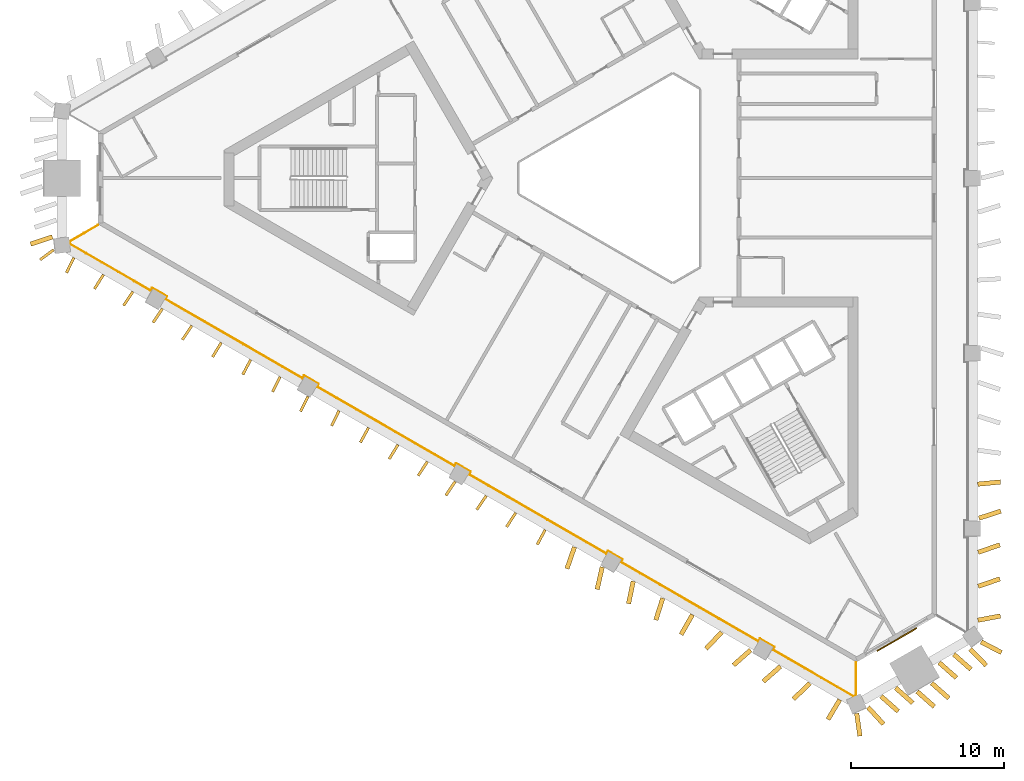
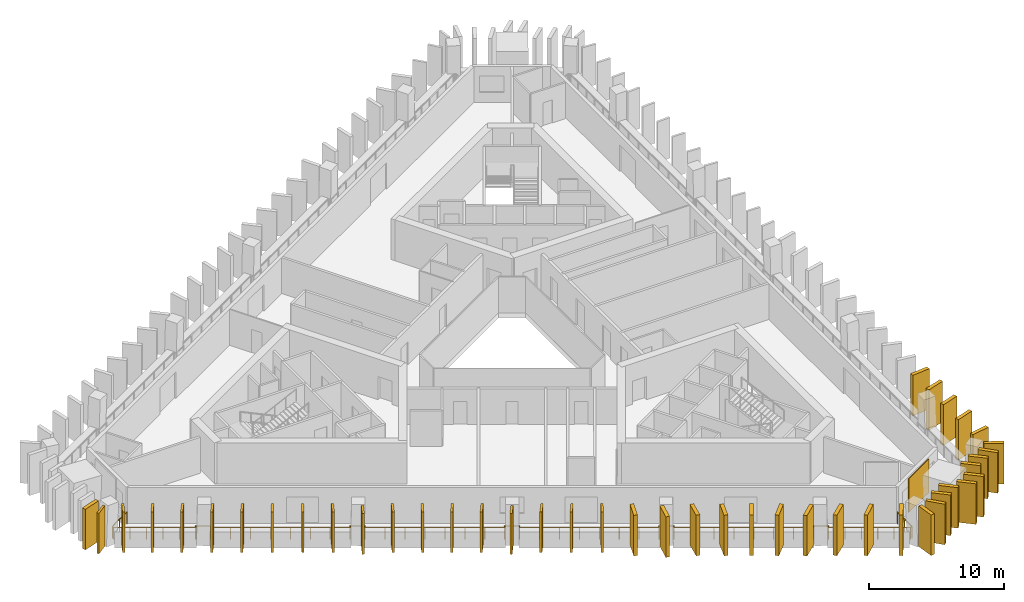
# One storey, part 7 of 10: 44 shading devices, 1 covering, 1 railing.
"""IFC4 building model written with IfcOpenShell, lengths in metres."""

from ifc_helpers import new_model, si_unit, direction, frame, frame_2d, origin, origin_2d, place, context, subcontext, project, spatial, rectangle, circle, extrude, material, layer, layer_set, type_object, element, save


model = new_model("IFC4")

# Units and contexts
model_context = context("Model", 3, precision=1e-05, world=origin(), true_north=direction((0.0, 1.0)))
body_context = subcontext(model_context, "Body", "Model", "MODEL_VIEW")
ifc_project = project(units=[si_unit("LENGTHUNIT", "METRE"), si_unit("AREAUNIT", "SQUARE_METRE"), si_unit("VOLUMEUNIT", "CUBIC_METRE"), si_unit("PLANEANGLEUNIT", "RADIAN"), si_unit("MASSUNIT", "GRAM", prefix="KILO")], contexts=[model_context])

# Site, building, storey
site_placement = place(None, origin())
site = spatial("IfcSite", under=ifc_project, at=site_placement, CompositionType="ELEMENT")
building_placement = place(site_placement, origin())
building = spatial("IfcBuilding", under=site, at=building_placement, Name="Jabali Bay Hotel Tower and Convention Centre", CompositionType="ELEMENT")
storey_placement = place(building_placement, frame((0.0, 0.0, 110.5)))
storey = spatial("IfcBuildingStorey", under=building, at=storey_placement, Name="L26", CompositionType="ELEMENT", Elevation=110.5)

# Railing
ifc_material_1 = material(Name="Glass", Category="glass")
railing_type = type_object("IfcRailingType", Name="Loggia glass guard 1100", PredefinedType="BALUSTRADE", material=ifc_material_1)
railing_placement = place(storey_placement, frame((89.76025390625, 48.2978515625, 0.0)))
element("IfcRailing", 1, at=railing_placement, inside=storey, type_object=railing_type, Name="Loggia glass guard L26", PredefinedType="BALUSTRADE", context=body_context, shape_type="SweptSolid", body=[
    extrude(circle(Radius=0.02490234375, at=origin_2d()), frame((0.0, 0.0, 1.0751953125), z_axis=(0.0, -1.0, 0.0), x_axis=(0.991444861374, 0.0, 0.13052619222)), (0.0, 0.0, 1.0), 2.165283203125),
    extrude(circle(Radius=0.02490234375, at=origin_2d()), frame((0.0, -2.165283203125, 1.0751953125), z_axis=(-0.918657809016, -0.395054211386, 0.0), x_axis=(0.391674467843, -0.91079856411, 0.13052619222)), (0.0, 0.0, 1.0), 0.15576171875),
    extrude(circle(Radius=0.02490234375, at=origin_2d()), frame((-0.14306640625, -2.226806640625, 1.0751953125), z_axis=(-0.866026564418, 0.499997989718, 0.0), x_axis=(-0.495720437603, -0.858617587106, 0.13052619222)), (0.0, 0.0, 1.0), 6.1103515625),
    extrude(circle(Radius=0.02490234375, at=origin_2d()), frame((-5.434814453125, 0.828369140625, 1.0751953125), z_axis=(0.500603037456, 0.865676959893, 0.0), x_axis=(-0.858270973496, 0.496320309074, 0.13052619222)), (0.0, 0.0, 1.0), 0.199951171875),
    extrude(circle(Radius=0.02490234375, at=origin_2d()), frame((-5.334716796875, 1.00146484375, 1.0751953125), z_axis=(-0.866008176907, 0.50002983664, 0.0), x_axis=(-0.495752012071, -0.858599356902, 0.13052619222)), (0.0, 0.0, 1.0), 1.10009765625),
    extrude(circle(Radius=0.02490234375, at=origin_2d()), frame((-6.287353515625, 1.551513671875, 1.0751953125), z_axis=(-0.500074377092, -0.865982457891, 0.0), x_axis=(0.858573857916, -0.495796171473, 0.13052619222)), (0.0, 0.0, 1.0), 0.2001953125),
    extrude(circle(Radius=0.02490234375, at=origin_2d()), frame((-6.387451171875, 1.378173828125, 1.0751953125), z_axis=(-0.866014443052, 0.500018984065, 0.0), x_axis=(-0.49574125234, -0.85860556944, 0.13052619222)), (0.0, 0.0, 1.0), 10.38134765625),
    extrude(circle(Radius=0.02490234375, at=origin_2d()), frame((-15.3779296875, 6.569091796875, 1.0751953125), z_axis=(0.499687197852, 0.866205924883, 0.0), x_axis=(-0.858795413117, 0.495412304605, 0.13052619222)), (0.0, 0.0, 1.0), 0.199951171875),
    extrude(circle(Radius=0.02490234375, at=origin_2d()), frame((-15.278076171875, 6.7421875, 1.0751953125), z_axis=(-0.866008176907, 0.50002983664, 0.0), x_axis=(-0.495752012071, -0.858599356902, 0.13052619222)), (0.0, 0.0, 1.0), 1.10009765625),
    extrude(circle(Radius=0.02490234375, at=origin_2d()), frame((-16.230712890625, 7.292236328125, 1.0751953125), z_axis=(-0.499687197852, -0.866205924883, 0.0), x_axis=(0.858795413117, -0.495412304605, 0.13052619222)), (0.0, 0.0, 1.0), 0.199951171875),
    extrude(circle(Radius=0.02490234375, at=origin_2d()), frame((-16.33056640625, 7.119140625, 1.0751953125), z_axis=(-0.866030505598, 0.499991163296, 0.0), x_axis=(-0.495713669582, -0.858621494568, 0.13052619222)), (0.0, 0.0, 1.0), 10.381591796875),
    extrude(circle(Radius=0.02490234375, at=origin_2d()), frame((-25.3212890625, 12.309814453125, 1.0751953125), z_axis=(0.499687197852, 0.866205924883, 0.0), x_axis=(-0.858795413117, 0.495412304605, 0.13052619222)), (0.0, 0.0, 1.0), 0.199951171875),
    extrude(circle(Radius=0.02490234375, at=origin_2d()), frame((-25.221435546875, 12.48291015625, 1.0751953125), z_axis=(-0.866008176907, 0.50002983664, 0.0), x_axis=(-0.495752012071, -0.858599356902, 0.13052619222)), (0.0, 0.0, 1.0), 1.10009765625),
    extrude(circle(Radius=0.02490234375, at=origin_2d()), frame((-26.174072265625, 13.032958984375, 1.0751953125), z_axis=(-0.499687197852, -0.866205924883, 0.0), x_axis=(0.858795413117, -0.495412304605, 0.13052619222)), (0.0, 0.0, 1.0), 0.199951171875),
    extrude(circle(Radius=0.02490234375, at=origin_2d()), frame((-26.27392578125, 12.85986328125, 1.0751953125), z_axis=(-0.866030505598, 0.499991163296, 0.0), x_axis=(-0.495713669582, -0.858621494568, 0.13052619222)), (0.0, 0.0, 1.0), 10.381591796875),
    extrude(circle(Radius=0.02490234375, at=origin_2d()), frame((-35.2646484375, 18.050537109375, 1.0751953125), z_axis=(0.500074377092, 0.865982457891, 0.0), x_axis=(-0.858573857916, 0.495796171473, 0.13052619222)), (0.0, 0.0, 1.0), 0.2001953125),
    extrude(circle(Radius=0.02490234375, at=origin_2d()), frame((-35.16455078125, 18.223876953125, 1.0751953125), z_axis=(-0.866104278045, 0.499863360881, 0.0), x_axis=(-0.495586960535, -0.858694635882, 0.13052619222)), (0.0, 0.0, 1.0), 1.099853515625),
    extrude(circle(Radius=0.02490234375, at=origin_2d()), frame((-36.1171875, 18.773681640625, 1.0751953125), z_axis=(-0.500603037456, -0.865676959893, 0.0), x_axis=(0.858270973496, -0.496320309074, 0.13052619222)), (0.0, 0.0, 1.0), 0.199951171875),
    extrude(circle(Radius=0.02490234375, at=origin_2d()), frame((-36.21728515625, 18.6005859375, 1.0751953125), z_axis=(-0.866030505598, 0.499991163296, 0.0), x_axis=(-0.495713669582, -0.858621494568, 0.13052619222)), (0.0, 0.0, 1.0), 10.381591796875),
    extrude(circle(Radius=0.02490234375, at=origin_2d()), frame((-45.2080078125, 23.791259765625, 1.0751953125), z_axis=(0.500074377092, 0.865982457891, 0.0), x_axis=(-0.858573857916, 0.495796171473, 0.13052619222)), (0.0, 0.0, 1.0), 0.2001953125),
    extrude(circle(Radius=0.02490234375, at=origin_2d()), frame((-45.10791015625, 23.964599609375, 1.0751953125), z_axis=(-0.866008176907, 0.50002983664, 0.0), x_axis=(-0.495752012071, -0.858599356902, 0.13052619222)), (0.0, 0.0, 1.0), 1.10009765625),
    extrude(circle(Radius=0.02490234375, at=origin_2d()), frame((-46.060546875, 24.5146484375, 1.0751953125), z_axis=(-0.500074377092, -0.865982457891, 0.0), x_axis=(0.858573857916, -0.495796171473, 0.13052619222)), (0.0, 0.0, 1.0), 0.2001953125),
    extrude(circle(Radius=0.02490234375, at=origin_2d()), frame((-46.16064453125, 24.34130859375, 1.0751953125), z_axis=(-0.866016575208, 0.500015291231, 0.0), x_axis=(-0.4957375911, -0.858607683354, 0.13052619222)), (0.0, 0.0, 1.0), 6.110107421875),
    extrude(circle(Radius=0.02490234375, at=origin_2d()), frame((-51.4521484375, 27.396484375, 1.0751953125), z_axis=(-0.117477392411, 0.993075557182, 0.0), x_axis=(-0.984579658124, -0.116472357034, 0.13052619222)), (0.0, 0.0, 1.0), 0.15576171875),
    extrude(circle(Radius=0.02490234375, at=origin_2d()), frame((-51.470458984375, 27.55126953125, 1.0751953125), z_axis=(0.866027848477, 0.499995765644, 0.0), x_axis=(-0.495718232557, 0.858618860179, 0.13052619222)), (0.0, 0.0, 1.0), 2.1650390625),
    extrude(circle(Radius=0.02001953125, at=origin_2d()), origin(), (0.0, 0.0, 1.0), 1.050048828125),
    extrude(circle(Radius=0.02001953125, at=origin_2d()), frame((0.0, -1.08251953125, 0.0)), (0.0, 0.0, 1.0), 1.050048828125),
    extrude(circle(Radius=0.02001953125, at=origin_2d()), frame((0.0, -2.165283203125, 0.0)), (0.0, 0.0, 1.0), 1.050048828125),
    extrude(circle(Radius=0.02001953125, at=origin_2d()), frame((-0.14306640625, -2.226806640625, 0.0)), (0.0, 0.0, 1.0), 1.050048828125),
    extrude(circle(Radius=0.02001953125, at=origin_2d()), frame((-1.201416015625, -1.61572265625, 0.0)), (0.0, 0.0, 1.0), 1.050048828125),
    extrude(circle(Radius=0.02001953125, at=origin_2d()), frame((-2.259765625, -1.004638671875, 0.0)), (0.0, 0.0, 1.0), 1.050048828125),
    extrude(circle(Radius=0.02001953125, at=origin_2d()), frame((-3.318115234375, -0.393798828125, 0.0)), (0.0, 0.0, 1.0), 1.050048828125),
    extrude(circle(Radius=0.02001953125, at=origin_2d()), frame((-4.37646484375, 0.21728515625, 0.0)), (0.0, 0.0, 1.0), 1.050048828125),
    extrude(circle(Radius=0.02001953125, at=origin_2d()), frame((-5.434814453125, 0.828369140625, 0.0)), (0.0, 0.0, 1.0), 1.050048828125),
    extrude(circle(Radius=0.02001953125, at=origin_2d()), frame((-5.334716796875, 1.00146484375, 0.0)), (0.0, 0.0, 1.0), 1.050048828125),
    extrude(circle(Radius=0.02001953125, at=origin_2d()), frame((-6.287353515625, 1.551513671875, 0.0)), (0.0, 0.0, 1.0), 1.050048828125),
    extrude(circle(Radius=0.02001953125, at=origin_2d()), frame((-6.387451171875, 1.378173828125, 0.0)), (0.0, 0.0, 1.0), 1.050048828125),
    extrude(circle(Radius=0.02001953125, at=origin_2d()), frame((-7.671875, 2.11962890625, 0.0)), (0.0, 0.0, 1.0), 1.050048828125),
    extrude(circle(Radius=0.02001953125, at=origin_2d()), frame((-8.9560546875, 2.861328125, 0.0)), (0.0, 0.0, 1.0), 1.050048828125),
    extrude(circle(Radius=0.02001953125, at=origin_2d()), frame((-10.240478515625, 3.602783203125, 0.0)), (0.0, 0.0, 1.0), 1.050048828125),
    extrude(circle(Radius=0.02001953125, at=origin_2d()), frame((-11.52490234375, 4.344482421875, 0.0)), (0.0, 0.0, 1.0), 1.050048828125),
    extrude(circle(Radius=0.02001953125, at=origin_2d()), frame((-12.809326171875, 5.0859375, 0.0)), (0.0, 0.0, 1.0), 1.050048828125),
    extrude(circle(Radius=0.02001953125, at=origin_2d()), frame((-14.093505859375, 5.82763671875, 0.0)), (0.0, 0.0, 1.0), 1.050048828125),
    extrude(circle(Radius=0.02001953125, at=origin_2d()), frame((-15.3779296875, 6.569091796875, 0.0)), (0.0, 0.0, 1.0), 1.050048828125),
    extrude(circle(Radius=0.02001953125, at=origin_2d()), frame((-15.278076171875, 6.7421875, 0.0)), (0.0, 0.0, 1.0), 1.050048828125),
    extrude(circle(Radius=0.02001953125, at=origin_2d()), frame((-16.230712890625, 7.292236328125, 0.0)), (0.0, 0.0, 1.0), 1.050048828125),
    extrude(circle(Radius=0.02001953125, at=origin_2d()), frame((-16.33056640625, 7.119140625, 0.0)), (0.0, 0.0, 1.0), 1.050048828125),
    extrude(circle(Radius=0.02001953125, at=origin_2d()), frame((-17.614990234375, 7.860595703125, 0.0)), (0.0, 0.0, 1.0), 1.050048828125),
    extrude(circle(Radius=0.02001953125, at=origin_2d()), frame((-18.8994140625, 8.602294921875, 0.0)), (0.0, 0.0, 1.0), 1.050048828125),
    extrude(circle(Radius=0.02001953125, at=origin_2d()), frame((-20.183837890625, 9.34375, 0.0)), (0.0, 0.0, 1.0), 1.050048828125),
    extrude(circle(Radius=0.02001953125, at=origin_2d()), frame((-21.468017578125, 10.085205078125, 0.0)), (0.0, 0.0, 1.0), 1.050048828125),
    extrude(circle(Radius=0.02001953125, at=origin_2d()), frame((-22.75244140625, 10.82666015625, 0.0)), (0.0, 0.0, 1.0), 1.050048828125),
    extrude(circle(Radius=0.02001953125, at=origin_2d()), frame((-24.036865234375, 11.568359375, 0.0)), (0.0, 0.0, 1.0), 1.050048828125),
    extrude(circle(Radius=0.02001953125, at=origin_2d()), frame((-25.3212890625, 12.309814453125, 0.0)), (0.0, 0.0, 1.0), 1.050048828125),
    extrude(circle(Radius=0.02001953125, at=origin_2d()), frame((-25.221435546875, 12.48291015625, 0.0)), (0.0, 0.0, 1.0), 1.050048828125),
    extrude(circle(Radius=0.02001953125, at=origin_2d()), frame((-26.174072265625, 13.032958984375, 0.0)), (0.0, 0.0, 1.0), 1.050048828125),
    extrude(circle(Radius=0.02001953125, at=origin_2d()), frame((-26.27392578125, 12.85986328125, 0.0)), (0.0, 0.0, 1.0), 1.050048828125),
    extrude(circle(Radius=0.02001953125, at=origin_2d()), frame((-27.558349609375, 13.601318359375, 0.0)), (0.0, 0.0, 1.0), 1.050048828125),
    extrude(circle(Radius=0.02001953125, at=origin_2d()), frame((-28.8427734375, 14.343017578125, 0.0)), (0.0, 0.0, 1.0), 1.050048828125),
    extrude(circle(Radius=0.02001953125, at=origin_2d()), frame((-30.127197265625, 15.08447265625, 0.0)), (0.0, 0.0, 1.0), 1.050048828125),
    extrude(circle(Radius=0.02001953125, at=origin_2d()), frame((-31.411376953125, 15.825927734375, 0.0)), (0.0, 0.0, 1.0), 1.050048828125),
    extrude(circle(Radius=0.02001953125, at=origin_2d()), frame((-32.69580078125, 16.5673828125, 0.0)), (0.0, 0.0, 1.0), 1.050048828125),
    extrude(circle(Radius=0.02001953125, at=origin_2d()), frame((-33.980224609375, 17.30908203125, 0.0)), (0.0, 0.0, 1.0), 1.050048828125),
    extrude(circle(Radius=0.02001953125, at=origin_2d()), frame((-35.2646484375, 18.050537109375, 0.0)), (0.0, 0.0, 1.0), 1.050048828125),
    extrude(circle(Radius=0.02001953125, at=origin_2d()), frame((-35.16455078125, 18.223876953125, 0.0)), (0.0, 0.0, 1.0), 1.050048828125),
    extrude(circle(Radius=0.02001953125, at=origin_2d()), frame((-36.1171875, 18.773681640625, 0.0)), (0.0, 0.0, 1.0), 1.050048828125),
    extrude(circle(Radius=0.02001953125, at=origin_2d()), frame((-36.21728515625, 18.6005859375, 0.0)), (0.0, 0.0, 1.0), 1.050048828125),
    extrude(circle(Radius=0.02001953125, at=origin_2d()), frame((-37.501708984375, 19.342041015625, 0.0)), (0.0, 0.0, 1.0), 1.050048828125),
    extrude(circle(Radius=0.02001953125, at=origin_2d()), frame((-38.7861328125, 20.083740234375, 0.0)), (0.0, 0.0, 1.0), 1.050048828125),
    extrude(circle(Radius=0.02001953125, at=origin_2d()), frame((-40.070556640625, 20.8251953125, 0.0)), (0.0, 0.0, 1.0), 1.050048828125),
    extrude(circle(Radius=0.02001953125, at=origin_2d()), frame((-41.354736328125, 21.566650390625, 0.0)), (0.0, 0.0, 1.0), 1.050048828125),
    extrude(circle(Radius=0.02001953125, at=origin_2d()), frame((-42.63916015625, 22.30810546875, 0.0)), (0.0, 0.0, 1.0), 1.050048828125),
    extrude(circle(Radius=0.02001953125, at=origin_2d()), frame((-43.923583984375, 23.0498046875, 0.0)), (0.0, 0.0, 1.0), 1.050048828125),
    extrude(circle(Radius=0.02001953125, at=origin_2d()), frame((-45.2080078125, 23.791259765625, 0.0)), (0.0, 0.0, 1.0), 1.050048828125),
    extrude(circle(Radius=0.02001953125, at=origin_2d()), frame((-45.10791015625, 23.964599609375, 0.0)), (0.0, 0.0, 1.0), 1.050048828125),
    extrude(circle(Radius=0.02001953125, at=origin_2d()), frame((-46.060546875, 24.5146484375, 0.0)), (0.0, 0.0, 1.0), 1.050048828125),
    extrude(circle(Radius=0.02001953125, at=origin_2d()), frame((-46.16064453125, 24.34130859375, 0.0)), (0.0, 0.0, 1.0), 1.050048828125),
    extrude(circle(Radius=0.02001953125, at=origin_2d()), frame((-47.218994140625, 24.952392578125, 0.0)), (0.0, 0.0, 1.0), 1.050048828125),
    extrude(circle(Radius=0.02001953125, at=origin_2d()), frame((-48.27734375, 25.5634765625, 0.0)), (0.0, 0.0, 1.0), 1.050048828125),
    extrude(circle(Radius=0.02001953125, at=origin_2d()), frame((-49.33544921875, 26.17431640625, 0.0)), (0.0, 0.0, 1.0), 1.050048828125),
    extrude(circle(Radius=0.02001953125, at=origin_2d()), frame((-50.393798828125, 26.785400390625, 0.0)), (0.0, 0.0, 1.0), 1.050048828125),
    extrude(circle(Radius=0.02001953125, at=origin_2d()), frame((-51.4521484375, 27.396484375, 0.0)), (0.0, 0.0, 1.0), 1.050048828125),
    extrude(circle(Radius=0.02001953125, at=origin_2d()), frame((-51.470458984375, 27.55126953125, 0.0)), (0.0, 0.0, 1.0), 1.050048828125),
    extrude(circle(Radius=0.02001953125, at=origin_2d()), frame((-50.532958984375, 28.092529296875, 0.0)), (0.0, 0.0, 1.0), 1.050048828125),
    extrude(circle(Radius=0.02001953125, at=origin_2d()), frame((-49.595458984375, 28.6337890625, 0.0)), (0.0, 0.0, 1.0), 1.050048828125),
])

# Shading devices
ifc_material_2 = material(Name="Precast concrete C60", Category="concrete")
ifc_layer_1 = layer(ifc_material_2, 0.179931640625)
ifc_layer_set_1 = layer_set([ifc_layer_1], Name="Precast concrete C60")
shading_device_type_1 = type_object("IfcShadingDeviceType", Name="Precast fin 3680 x 1100", PredefinedType="USERDEFINED", material=ifc_layer_set_1)
shading_device_1_placement = place(storey_placement, frame((38.579833984375, 74.789306640625, 0.010009765625), z_axis=(0.0, 0.0, 1.0), x_axis=(-0.446325606723, -0.894870634664, 0.0)))
element("IfcShadingDevice", 2, at=shading_device_1_placement, inside=storey, type_object=shading_device_type_1, Name="Fin L26 070", ObjectType="FIN", PredefinedType="USERDEFINED", context=body_context, shape_type="SweptSolid", body=[
    extrude(rectangle(XDim=1.10009765625, YDim=0.179931640625, at=frame_2d((0.550048828125, 0.0))), origin(), (0.0, 0.0, 1.0), 3.679931640625),
])
shading_device_2_placement = place(storey_placement, frame((40.50830078125, 73.677978515625, 0.010009765625), z_axis=(0.0, 0.0, 1.0), x_axis=(-0.53404309696, -0.845457255329, 0.0)))
element("IfcShadingDevice", 3, at=shading_device_2_placement, inside=storey, type_object=shading_device_type_1, Name="Fin L26 071", ObjectType="FIN", PredefinedType="USERDEFINED", context=body_context, shape_type="SweptSolid", body=[
    extrude(rectangle(XDim=1.099853515625, YDim=0.179931640625, at=frame_2d((0.5498046875, 0.0))), origin(), (0.0, 0.0, 1.0), 3.679931640625),
])
for number, where, z_axis, x_axis, name in (
    (4, (42.4345703125, 72.56298828125, 0.010009765625), (0.0, 0.0, 1.0), (-0.558382243094, -0.829583793596, 0.0), "Fin L26 072"),
    (5, (44.3623046875, 71.4501953125, 0.010009765625), (0.0, 0.0, 1.0), (-0.556644989789, -0.830750477185, 0.0), "Fin L26 073"),
    (6, (46.2900390625, 70.33740234375, 0.010009765625), (0.0, 0.0, 1.0), (-0.555877455438, -0.831264250727, 0.0), "Fin L26 074"),
):
    element("IfcShadingDevice", number, at=place(storey_placement, frame(where, z_axis=z_axis, x_axis=x_axis)), inside=storey, type_object=shading_device_type_1, Name=name, ObjectType="FIN", PredefinedType="USERDEFINED", context=body_context, shape_type="SweptSolid", body=[
        extrude(rectangle(XDim=1.10009765625, YDim=0.179931640625, at=frame_2d((0.550048828125, 0.0))), origin(), (0.0, 0.0, 1.0), 3.679931640625),
    ])
for number, where, z_axis, x_axis, name in (
    (7, (48.219482421875, 69.2275390625, 0.010009765625), (0.0, 0.0, 1.0), (-0.52159364918, -0.853194037212, 0.0), "Fin L26 075"),
    (8, (50.146484375, 68.11376953125, 0.010009765625), (0.0, 0.0, 1.0), (-0.468570876863, -0.883425907112, 0.0), "Fin L26 076"),
):
    element("IfcShadingDevice", number, at=place(storey_placement, frame(where, z_axis=z_axis, x_axis=x_axis)), inside=storey, type_object=shading_device_type_1, Name=name, ObjectType="FIN", PredefinedType="USERDEFINED", context=body_context, shape_type="SweptSolid", body=[
        extrude(rectangle(XDim=1.099853515625, YDim=0.179931640625, at=frame_2d((0.5498046875, 0.0))), origin(), (0.0, 0.0, 1.0), 3.679931640625),
    ])
shading_device_3_placement = place(storey_placement, frame((52.07275390625, 66.998779296875, 0.010009765625), z_axis=(0.0, 0.0, 1.0), x_axis=(-0.442502765663, -0.896767139441, 0.0)))
element("IfcShadingDevice", 9, at=shading_device_3_placement, inside=storey, type_object=shading_device_type_1, Name="Fin L26 077", ObjectType="FIN", PredefinedType="USERDEFINED", context=body_context, shape_type="SweptSolid", body=[
    extrude(rectangle(XDim=1.10009765625, YDim=0.179931640625, at=frame_2d((0.550048828125, 0.0))), origin(), (0.0, 0.0, 1.0), 3.679931640625),
])
for number, where, z_axis, x_axis, name in (
    (10, (53.896728515625, 65.7060546875, 0.010009765625), (0.0, 0.0, 1.0), (-0.442590842644, -0.896723673161, 0.0), "Fin L26 078"),
    (11, (55.927978515625, 64.77294921875, 0.010009765625), (0.0, 0.0, 1.0), (-0.443035845691, -0.896503898169, 0.0), "Fin L26 079"),
):
    element("IfcShadingDevice", number, at=place(storey_placement, frame(where, z_axis=z_axis, x_axis=x_axis)), inside=storey, type_object=shading_device_type_1, Name=name, ObjectType="FIN", PredefinedType="USERDEFINED", context=body_context, shape_type="SweptSolid", body=[
        extrude(rectangle(XDim=1.099853515625, YDim=0.179931640625, at=frame_2d((0.5498046875, 0.0))), origin(), (0.0, 0.0, 1.0), 3.679931640625),
    ])
shading_device_4_placement = place(storey_placement, frame((57.857666015625, 63.663330078125, 0.010009765625), z_axis=(0.0, 0.0, 1.0), x_axis=(-0.481850587491, -0.876253394478, 0.0)))
element("IfcShadingDevice", 12, at=shading_device_4_placement, inside=storey, type_object=shading_device_type_1, Name="Fin L26 080", ObjectType="FIN", PredefinedType="USERDEFINED", context=body_context, shape_type="SweptSolid", body=[
    extrude(rectangle(XDim=1.10009765625, YDim=0.179931640625, at=frame_2d((0.550048828125, 0.0))), origin(), (0.0, 0.0, 1.0), 3.679931640625),
])
for number, where, z_axis, x_axis, name in (
    (13, (59.784912109375, 62.550048828125, 0.010009765625), (0.0, 0.0, 1.0), (-0.52269737166, -0.852518303416, 0.0), "Fin L26 081"),
    (14, (61.7109375, 61.434326171875, 0.010009765625), (0.0, 0.0, 1.0), (-0.553572804358, -0.832800786668, 0.0), "Fin L26 082"),
):
    element("IfcShadingDevice", number, at=place(storey_placement, frame(where, z_axis=z_axis, x_axis=x_axis)), inside=storey, type_object=shading_device_type_1, Name=name, ObjectType="FIN", PredefinedType="USERDEFINED", context=body_context, shape_type="SweptSolid", body=[
        extrude(rectangle(XDim=1.099853515625, YDim=0.179931640625, at=frame_2d((0.5498046875, 0.0))), origin(), (0.0, 0.0, 1.0), 3.679931640625),
    ])
for number, where, z_axis, x_axis, name in (
    (15, (63.534423828125, 60.14111328125, 0.010009765625), (0.0, 0.0, 1.0), (-0.560627290637, -0.828068258656, 0.0), "Fin L26 083"),
    (16, (65.565673828125, 59.20751953125, 0.010009765625), (0.0, 0.0, 1.0), (-0.565002095015, -0.825089469469, 0.0), "Fin L26 084"),
    (17, (67.494384765625, 58.0966796875, 0.010009765625), (0.0, 0.0, 1.0), (-0.542864720572, -0.839820156437, 0.0), "Fin L26 085"),
    (18, (69.4228515625, 56.985107421875, 0.010009765625), (0.0, 0.0, 1.0), (-0.472510855248, -0.881324850253, 0.0), "Fin L26 086"),
    (19, (37.251953125, 75.3076171875, 0.010009765625), (0.0, 0.0, 1.0), (-0.804715439965, -0.593660728601, 0.0), "Fin L26 109"),
):
    element("IfcShadingDevice", number, at=place(storey_placement, frame(where, z_axis=z_axis, x_axis=x_axis)), inside=storey, type_object=shading_device_type_1, Name=name, ObjectType="FIN", PredefinedType="USERDEFINED", context=body_context, shape_type="SweptSolid", body=[
        extrude(rectangle(XDim=1.10009765625, YDim=0.179931640625, at=frame_2d((0.550048828125, 0.0))), origin(), (0.0, 0.0, 1.0), 3.679931640625),
    ])
ifc_layer_2 = layer(ifc_material_2, 0.300048828125)
ifc_layer_set_2 = layer_set([ifc_layer_2], Name="Precast concrete C60")
shading_device_type_2 = type_object("IfcShadingDeviceType", Name="Precast fin 3680 x 1500", PredefinedType="USERDEFINED", material=ifc_layer_set_2)
for number, where, z_axis, x_axis, name in (
    (20, (97.744873046875, 51.064453125, 0.010009765625), (0.0, 0.0, 1.0), (0.982698559849, 0.185212149902, 0.0), "Fin L26 000"),
    (21, (97.764892578125, 53.290283203125, 0.010009765625), (0.0, 0.0, 1.0), (0.948030279817, 0.318180119664, 0.0), "Fin L26 001"),
    (22, (97.764892578125, 55.51611328125, 0.010009765625), (0.0, 0.0, 1.0), (0.948030279817, 0.318180119664, 0.0), "Fin L26 002"),
    (23, (97.8193359375, 57.741943359375, 0.010009765625), (0.0, 0.0, 1.0), (0.950937145958, 0.309384137338, 0.0), "Fin L26 003"),
):
    element("IfcShadingDevice", number, at=place(storey_placement, frame(where, z_axis=z_axis, x_axis=x_axis)), inside=storey, type_object=shading_device_type_2, Name=name, ObjectType="FIN", PredefinedType="USERDEFINED", context=body_context, shape_type="SweptSolid", body=[
        extrude(rectangle(XDim=1.5, YDim=0.300048828125, at=frame_2d((0.75, 0.0))), origin(), (0.0, 0.0, 1.0), 3.679931640625),
    ])
shading_device_5_placement = place(storey_placement, frame((97.731689453125, 59.9677734375, 0.010009765625), z_axis=(0.0, 0.0, 1.0), x_axis=(0.995362087908, 0.096199344882, 0.0)))
element("IfcShadingDevice", 24, at=shading_device_5_placement, inside=storey, type_object=shading_device_type_2, Name="Fin L26 004", ObjectType="FIN", PredefinedType="USERDEFINED", context=body_context, shape_type="SweptSolid", body=[
    extrude(rectangle(XDim=1.499755859375, YDim=0.300048828125, at=frame_2d((0.75, 0.0))), origin(), (0.0, 0.0, 1.0), 3.679931640625),
])
shading_device_6_placement = place(storey_placement, frame((37.166015625, 76.1533203125, 0.010009765625), z_axis=(0.0, 0.0, 1.0), x_axis=(-0.947981177855, -0.3183263835, 0.0)))
element("IfcShadingDevice", 25, at=shading_device_6_placement, inside=storey, type_object=shading_device_type_2, Name="Fin L26 069", ObjectType="FIN", PredefinedType="USERDEFINED", context=body_context, shape_type="SweptSolid", body=[
    extrude(rectangle(XDim=1.500244140625, YDim=0.300048828125, at=frame_2d((0.75, 0.0))), origin(), (0.0, 0.0, 1.0), 3.679931640625),
])
for number, where, z_axis, x_axis, name in (
    (26, (71.337646484375, 55.85009765625, 0.010009765625), (0.0, 0.0, 1.0), (-0.327485093389, -0.944856345488, 0.0), "Fin L26 087"),
    (27, (73.1533203125, 54.54345703125, 0.010009765625), (0.0, 0.0, 1.0), (-0.220220905216, -0.975450025837, 0.0), "Fin L26 088"),
):
    element("IfcShadingDevice", number, at=place(storey_placement, frame(where, z_axis=z_axis, x_axis=x_axis)), inside=storey, type_object=shading_device_type_2, Name=name, ObjectType="FIN", PredefinedType="USERDEFINED", context=body_context, shape_type="SweptSolid", body=[
        extrude(rectangle(XDim=1.5, YDim=0.300048828125, at=frame_2d((0.75, 0.0))), origin(), (0.0, 0.0, 1.0), 3.679931640625),
    ])
shading_device_7_placement = place(storey_placement, frame((75.18359375, 53.6083984375, 0.010009765625), z_axis=(0.0, 0.0, 1.0), x_axis=(-0.204402650414, -0.978886896686, 0.0)))
element("IfcShadingDevice", 28, at=shading_device_7_placement, inside=storey, type_object=shading_device_type_2, Name="Fin L26 089", ObjectType="FIN", PredefinedType="USERDEFINED", context=body_context, shape_type="SweptSolid", body=[
    extrude(rectangle(XDim=1.500244140625, YDim=0.300048828125, at=frame_2d((0.75, 0.0))), origin(), (0.0, 0.0, 1.0), 3.679931640625),
])
for number, where, z_axis, x_axis, name in (
    (29, (77.11865234375, 52.508056640625, 0.010009765625), (0.0, 0.0, 1.0), (-0.303062573322, -0.952970658862, 0.0), "Fin L26 090"),
    (30, (79.06201171875, 51.4228515625, 0.010009765625), (0.0, 0.0, 1.0), (-0.498223401551, -0.867048696525, 0.0), "Fin L26 091"),
):
    element("IfcShadingDevice", number, at=place(storey_placement, frame(where, z_axis=z_axis, x_axis=x_axis)), inside=storey, type_object=shading_device_type_2, Name=name, ObjectType="FIN", PredefinedType="USERDEFINED", context=body_context, shape_type="SweptSolid", body=[
        extrude(rectangle(XDim=1.5, YDim=0.300048828125, at=frame_2d((0.75, 0.0))), origin(), (0.0, 0.0, 1.0), 3.679931640625),
    ])
shading_device_8_placement = place(storey_placement, frame((80.97265625, 50.2802734375, 0.010009765625), z_axis=(0.0, 0.0, 1.0), x_axis=(-0.686303282609, -0.727315477823, 0.0)))
element("IfcShadingDevice", 31, at=shading_device_8_placement, inside=storey, type_object=shading_device_type_2, Name="Fin L26 092", ObjectType="FIN", PredefinedType="USERDEFINED", context=body_context, shape_type="SweptSolid", body=[
    extrude(rectangle(XDim=1.500244140625, YDim=0.300048828125, at=frame_2d((0.75, 0.0))), origin(), (0.0, 0.0, 1.0), 3.679931640625),
])
for number, where, z_axis, x_axis, name in (
    (32, (82.8671875, 49.1103515625, 0.010009765625), (0.0, 0.0, 1.0), (-0.74953377894, -0.661966097492, 0.0), "Fin L26 093"),
    (33, (84.8212890625, 48.04296875, 0.010009765625), (0.0, 0.0, 1.0), (-0.749685839111, -0.66179388229, 0.0), "Fin L26 094"),
):
    element("IfcShadingDevice", number, at=place(storey_placement, frame(where, z_axis=z_axis, x_axis=x_axis)), inside=storey, type_object=shading_device_type_2, Name=name, ObjectType="FIN", PredefinedType="USERDEFINED", context=body_context, shape_type="SweptSolid", body=[
        extrude(rectangle(XDim=1.5, YDim=0.300048828125, at=frame_2d((0.75, 0.0))), origin(), (0.0, 0.0, 1.0), 3.679931640625),
    ])
shading_device_9_placement = place(storey_placement, frame((86.75146484375, 46.934814453125, 0.010009765625), z_axis=(0.0, 0.0, 1.0), x_axis=(-0.724385584426, -0.689395042828, 0.0)))
element("IfcShadingDevice", 34, at=shading_device_9_placement, inside=storey, type_object=shading_device_type_2, Name="Fin L26 095", ObjectType="FIN", PredefinedType="USERDEFINED", context=body_context, shape_type="SweptSolid", body=[
    extrude(rectangle(XDim=1.500244140625, YDim=0.300048828125, at=frame_2d((0.75, 0.0))), origin(), (0.0, 0.0, 1.0), 3.679931640625),
])
shading_device_10_placement = place(storey_placement, frame((88.69921875, 45.856689453125, 0.010009765625), z_axis=(0.0, 0.0, 1.0), x_axis=(-0.511764276846, -0.859125907504, 0.0)))
element("IfcShadingDevice", 35, at=shading_device_10_placement, inside=storey, type_object=shading_device_type_2, Name="Fin L26 096", ObjectType="FIN", PredefinedType="USERDEFINED", context=body_context, shape_type="SweptSolid", body=[
    extrude(rectangle(XDim=1.499755859375, YDim=0.300048828125, at=frame_2d((0.75, 0.0))), origin(), (0.0, 0.0, 1.0), 3.679931640625),
])
for number, where, z_axis, x_axis, name in (
    (36, (90.55126953125, 45.37109375, 0.010009765625), (0.0, 0.0, 1.0), (0.675591957691, -0.737275733158, 0.0), "Fin L26 097"),
    (37, (91.4052734375, 46.08984375, 0.010009765625), (0.0, 0.0, 1.0), (0.749685839111, -0.66179388229, 0.0), "Fin L26 098"),
):
    element("IfcShadingDevice", number, at=place(storey_placement, frame(where, z_axis=z_axis, x_axis=x_axis)), inside=storey, type_object=shading_device_type_2, Name=name, ObjectType="FIN", PredefinedType="USERDEFINED", context=body_context, shape_type="SweptSolid", body=[
        extrude(rectangle(XDim=1.5, YDim=0.300048828125, at=frame_2d((0.75, 0.0))), origin(), (0.0, 0.0, 1.0), 3.679931640625),
    ])
shading_device_11_placement = place(storey_placement, frame((92.357177734375, 46.639404296875, 0.010009765625), z_axis=(0.0, 0.0, 1.0), x_axis=(0.749614540616, -0.661874641074, 0.0)))
element("IfcShadingDevice", 38, at=shading_device_11_placement, inside=storey, type_object=shading_device_type_2, Name="Fin L26 099", ObjectType="FIN", PredefinedType="USERDEFINED", context=body_context, shape_type="SweptSolid", body=[
    extrude(rectangle(XDim=1.499755859375, YDim=0.300048828125, at=frame_2d((0.75, 0.0))), origin(), (0.0, 0.0, 1.0), 3.679931640625),
])
shading_device_12_placement = place(storey_placement, frame((93.76513671875, 46.398681640625, 0.010009765625), z_axis=(0.0, 0.0, 1.0), x_axis=(0.749685839111, -0.66179388229, 0.0)))
element("IfcShadingDevice", 39, at=shading_device_12_placement, inside=storey, type_object=shading_device_type_2, Name="Fin L26 100", ObjectType="FIN", PredefinedType="USERDEFINED", context=body_context, shape_type="SweptSolid", body=[
    extrude(rectangle(XDim=1.5, YDim=0.300048828125, at=frame_2d((0.75, 0.0))), origin(), (0.0, 0.0, 1.0), 3.679931640625),
])
shading_device_13_placement = place(storey_placement, frame((94.717041015625, 46.9482421875, 0.010009765625), z_axis=(0.0, 0.0, 1.0), x_axis=(0.749614540616, -0.661874641074, 0.0)))
element("IfcShadingDevice", 40, at=shading_device_13_placement, inside=storey, type_object=shading_device_type_2, Name="Fin L26 101", ObjectType="FIN", PredefinedType="USERDEFINED", context=body_context, shape_type="SweptSolid", body=[
    extrude(rectangle(XDim=1.499755859375, YDim=0.300048828125, at=frame_2d((0.75, 0.0))), origin(), (0.0, 0.0, 1.0), 3.679931640625),
])
for number, where, z_axis, x_axis, name in (
    (41, (95.21240234375, 48.2880859375, 0.010009765625), (0.0, 0.0, 1.0), (0.749605089459, -0.661885344948, 0.0), "Fin L26 102"),
    (42, (96.164306640625, 48.837646484375, 0.010009765625), (0.0, 0.0, 1.0), (0.749605089459, -0.661885344948, 0.0), "Fin L26 103"),
):
    element("IfcShadingDevice", number, at=place(storey_placement, frame(where, z_axis=z_axis, x_axis=x_axis)), inside=storey, type_object=shading_device_type_2, Name=name, ObjectType="FIN", PredefinedType="USERDEFINED", context=body_context, shape_type="SweptSolid", body=[
        extrude(rectangle(XDim=1.500244140625, YDim=0.300048828125, at=frame_2d((0.75, 0.0))), origin(), (0.0, 0.0, 1.0), 3.679931640625),
    ])
for number, where, z_axis, x_axis, name in (
    (43, (97.242919921875, 49.16748046875, 0.010009765625), (0.0, 0.0, 1.0), (0.699827292089, -0.714312089529, 0.0), "Fin L26 104"),
    (44, (97.95703125, 49.644287109375, 0.010009765625), (0.0, 0.0, 1.0), (0.88607352964, -0.463544712053, 0.0), "Fin L26 105"),
    (45, (89.810302734375, 44.968994140625, 0.010009765625), (0.0, 0.0, 1.0), (0.142241556484, -0.989831975443, 0.0), "Fin L26 110"),
):
    element("IfcShadingDevice", number, at=place(storey_placement, frame(where, z_axis=z_axis, x_axis=x_axis)), inside=storey, type_object=shading_device_type_2, Name=name, ObjectType="FIN", PredefinedType="USERDEFINED", context=body_context, shape_type="SweptSolid", body=[
        extrude(rectangle(XDim=1.5, YDim=0.300048828125, at=frame_2d((0.75, 0.0))), origin(), (0.0, 0.0, 1.0), 3.679931640625),
    ])

# Covering
ifc_material_3 = material(Name="Precast concrete C40/50", Category="concrete")
ifc_layer_3 = layer(ifc_material_3, 0.080078125)
ifc_layer_set_3 = layer_set([ifc_layer_3], Name="Precast concrete C40/50")
covering_type = type_object("IfcCoveringType", Name="Relief panel 3000 x 3050", PredefinedType="CLADDING", material=ifc_layer_set_3)
covering_placement = place(storey_placement, frame((92.4375, 49.79736328125, 0.10009765625), z_axis=(0.0, 0.0, 1.0), x_axis=(-0.866025426683, -0.499999960338, 0.0)))
element("IfcCovering", 46, at=covering_placement, inside=storey, type_object=covering_type, Name="Relief panel L26", PredefinedType="CLADDING", context=body_context, shape_type="SweptSolid", body=[
    extrude(rectangle(XDim=3.0, YDim=0.080078125, at=origin_2d()), origin(), (0.0, 0.0, 1.0), 3.050048828125),
])

save(model, "model.ifc")
